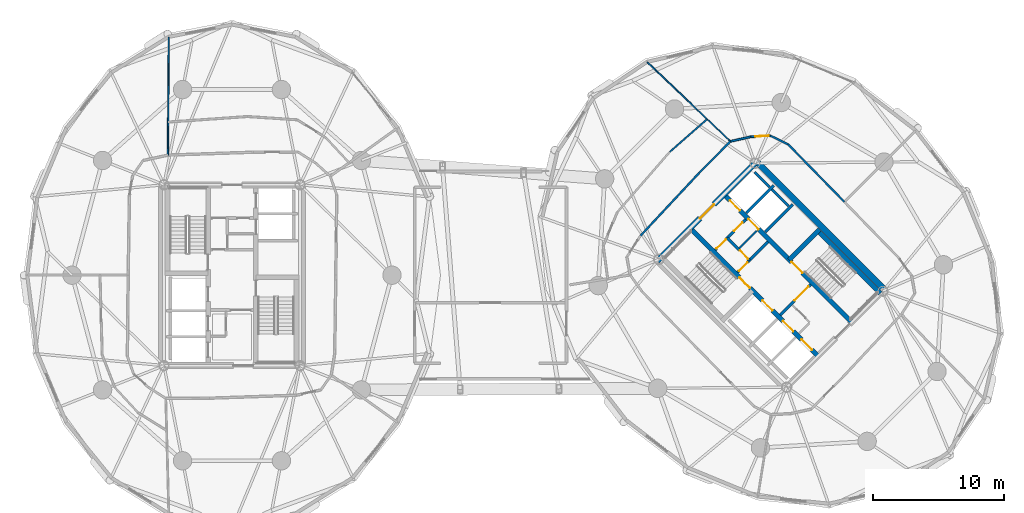
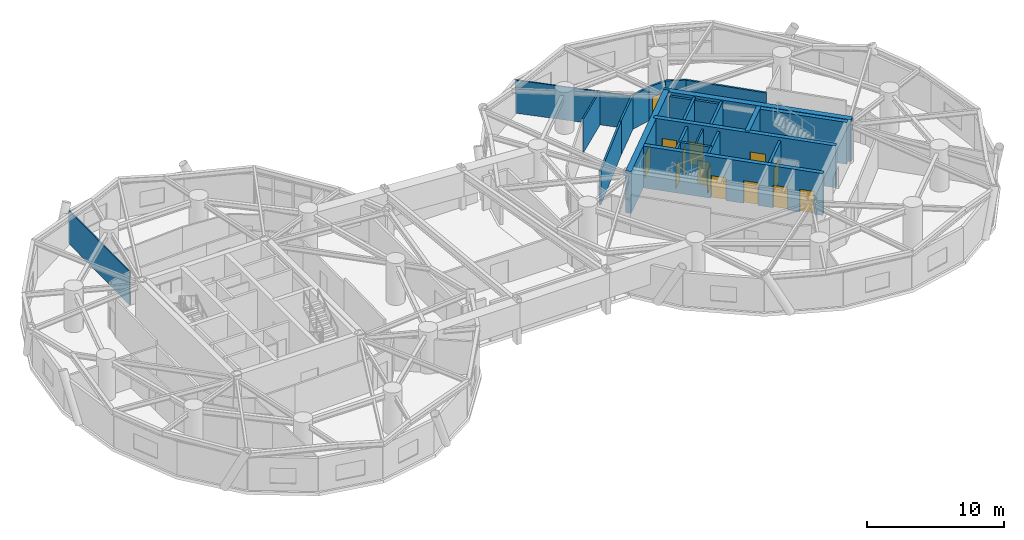
# One storey, part 13 of 17: 24 walls, 14 doors, 14 openings.
"""IFC4 building model written with IfcOpenShell, lengths in metres."""

from ifc_helpers import new_model, si_unit, direction, frame, frame_2d, origin, place, context, subcontext, project, spatial, rectangle, extrude, source, transform, mapped, material, layer, layer_set, type_object, element, fill, save


model = new_model("IFC4")

# Units and contexts
model_context = context("Model", 3, precision=1e-05, world=origin(), true_north=direction((0.0, 1.0)))
body_context = subcontext(model_context, "Body", "Model", "MODEL_VIEW")
ifc_project = project(units=[si_unit("LENGTHUNIT", "METRE"), si_unit("AREAUNIT", "SQUARE_METRE"), si_unit("VOLUMEUNIT", "CUBIC_METRE"), si_unit("PLANEANGLEUNIT", "RADIAN"), si_unit("MASSUNIT", "GRAM", prefix="KILO")], contexts=[model_context])

# Site, building, storey
site_placement = place(None, origin())
site = spatial("IfcSite", under=ifc_project, at=site_placement, CompositionType="ELEMENT")
building_placement = place(site_placement, origin())
building = spatial("IfcBuilding", under=site, at=building_placement, Name="Cununo Teusaquillo Station Towers", CompositionType="ELEMENT")
storey_placement = place(building_placement, frame((0.0, 0.0, 125.43994140625)))
storey = spatial("IfcBuildingStorey", under=building, at=storey_placement, Name="L40", CompositionType="ELEMENT", Elevation=125.43994140625)

# Walls
ifc_material_1 = material(Name="Concrete C50/60", Category="concrete")
ifc_layer_1 = layer(ifc_material_1, 0.199951171875)
ifc_layer_set_1 = layer_set([ifc_layer_1], Name="Concrete C50/60")
wall_type_1 = type_object("IfcWallType", Name="WL-CORE-200", PredefinedType="SHEAR", material=ifc_layer_set_1)
wall_1_placement = place(storey_placement, frame((57.0615234375, 27.781005859375, 0.0), z_axis=(0.0, 0.0, 1.0), x_axis=(0.707106781187, 0.707106781187, 0.0)))
element("IfcWall", 1, at=wall_1_placement, inside=storey, type_object=wall_type_1, Name="L40 Tower B Low-Rise Lift Hoistway South Shear Wall", PredefinedType="SHEAR", context=body_context, shape_type="SweptSolid", body=[
    extrude(rectangle(XDim=2.969970703125, YDim=0.199951171875, at=frame_2d((1.48486328125, 0.0))), origin(), (0.0, 0.0, 1.0), 3.719970703125),
])
wall_2_placement = place(storey_placement, frame((55.615478515625, 29.22705078125, 0.0), z_axis=(0.0, 0.0, 1.0), x_axis=(0.707147878904, 0.70706568108, 0.0)))
element("IfcWall", 2, at=wall_2_placement, inside=storey, type_object=wall_type_1, Name="L40 Tower B Low-Rise Lift Hoistway Divider Shear Wall", PredefinedType="SHEAR", context=body_context, shape_type="SweptSolid", body=[
    extrude(rectangle(XDim=2.97021484375, YDim=0.199951171875, at=frame_2d((1.485107421875, 0.0))), origin(), (0.0, 0.0, 1.0), 3.719970703125),
])
wall_3_placement = place(storey_placement, frame((58.86474609375, 29.75390625, 0.0), z_axis=(0.0, 0.0, 1.0), x_axis=(-0.707174411312, 0.707039144592, 0.0)))
element("IfcWall", 3, at=wall_3_placement, inside=storey, type_object=wall_type_1, Name="L40 Tower B Low-Rise Lift 1 Shaft Rear Shear Wall", PredefinedType="SHEAR", context=body_context, shape_type="SweptSolid", body=[
    extrude(rectangle(XDim=1.804931640625, YDim=0.199951171875, at=frame_2d((0.90234375, 0.0))), origin(), (0.0, 0.0, 1.0), 3.719970703125),
])
wall_4_placement = place(storey_placement, frame((57.418701171875, 31.19970703125, 0.0), z_axis=(0.0, 0.0, 1.0), x_axis=(-0.707032117043, 0.707181437447, 0.0)))
element("IfcWall", 4, at=wall_4_placement, inside=storey, type_object=wall_type_1, Name="L40 Tower B Low-Rise Lift 2 Shaft Rear Shear Wall", PredefinedType="SHEAR", context=body_context, shape_type="SweptSolid", body=[
    extrude(rectangle(XDim=1.635009765625, YDim=0.199951171875, at=frame_2d((0.8173828125, 0.0))), origin(), (0.0, 0.0, 1.0), 3.719970703125),
])

# Wall, openings, doors
ifc_material_2 = material(Name="Concrete C50/60", Category="concrete")
ifc_layer_2 = layer(ifc_material_2, 0.35009765625)
ifc_layer_set_2 = layer_set([ifc_layer_2], Name="Concrete C50/60")
wall_type_2 = type_object("IfcWallType", Name="WL-CORE-350", PredefinedType="SHEAR", material=ifc_layer_set_2)
wall_5_placement = place(storey_placement, frame((61.077880859375, 18.355224609375, 0.0), z_axis=(0.0, 0.0, 1.0), x_axis=(-0.707106781187, 0.707106781187, 0.0)))
wall_5 = element("IfcWall", 5, at=wall_5_placement, inside=storey, type_object=wall_type_2, Name="L40 Tower B Core Shear Wall IW", PredefinedType="SHEAR", context=body_context, shape_type="SweptSolid", body=[
    extrude(rectangle(XDim=13.75, YDim=0.35009765625, at=frame_2d((6.875, 0.0))), origin(), (0.0, 0.0, 1.0), 3.719970703125),
])
shared_shape_1 = source(origin(), body_context, "Body", "SweptSolid", [
    extrude(rectangle(XDim=1.10009765625, YDim=2.014892578125, at=frame_2d((0.550048828125, 1.00732421875))), frame((0.0, 0.18505859375, 0.0), z_axis=(0.0, -1.0, 0.0), x_axis=(1.0, 0.0, 0.0)), (0.0, 0.0, 1.0), 0.3701171875),
])
opening_1_placement = place(wall_5_placement, frame((4.875, 0.0, 0.0)))
opening_1 = element("IfcOpeningElement", 6, at=opening_1_placement, cuts=wall_5, Name="Opening LD-01", PredefinedType="OPENING", context=body_context, shape_type="MappedRepresentation", body=[
    mapped(shared_shape_1, transform((0.0, 0.0, 0.0), x_axis=(1.0, 0.0, 0.0), y_axis=(0.0, 1.0, 0.0), z_axis=(0.0, 0.0, 1.0), scale=1.0)),
])
opening_2_placement = place(wall_5_placement, frame((0.64990234375, 0.0, 0.0)))
opening_2 = element("IfcOpeningElement", 7, at=opening_2_placement, cuts=wall_5, Name="Opening LD-01", PredefinedType="OPENING", context=body_context, shape_type="MappedRepresentation", body=[
    mapped(shared_shape_1, transform((0.0, 0.0, 0.0), x_axis=(1.0, 0.0, 0.0), y_axis=(0.0, 1.0, 0.0), z_axis=(0.0, 0.0, 1.0), scale=1.0)),
])
opening_3_placement = place(wall_5_placement, frame((2.64990234375, 0.0, 0.0)))
opening_3 = element("IfcOpeningElement", 8, at=opening_3_placement, cuts=wall_5, Name="Opening LD-01", PredefinedType="OPENING", context=body_context, shape_type="MappedRepresentation", body=[
    mapped(shared_shape_1, transform((0.0, 0.0, 0.0), x_axis=(1.0, 0.0, 0.0), y_axis=(0.0, 1.0, 0.0), z_axis=(0.0, 0.0, 1.0), scale=1.0)),
])
shared_shape_2 = source(origin(), body_context, "Body", "SweptSolid", [
    extrude(rectangle(XDim=1.14990234375, YDim=2.02001953125, at=frame_2d((0.574951171875, 1.010009765625))), frame((0.0, 0.18505859375, 0.0), z_axis=(0.0, -1.0, 0.0), x_axis=(1.0, 0.0, 0.0)), (0.0, 0.0, 1.0), 0.3701171875),
])
opening_4_placement = place(wall_5_placement, frame((7.294921875, 0.0, 0.0)))
opening_4 = element("IfcOpeningElement", 9, at=opening_4_placement, cuts=wall_5, Name="Opening D-ST1", PredefinedType="OPENING", context=body_context, shape_type="MappedRepresentation", body=[
    mapped(shared_shape_2, transform((0.0, 0.0, 0.0), x_axis=(1.0, 0.0, 0.0), y_axis=(0.0, 1.0, 0.0), z_axis=(0.0, 0.0, 1.0), scale=1.0)),
])
ifc_material_3 = material(Name="Galvanised fire-rated hollow steel door assembly", Category="steel")
door_type_1 = type_object("IfcDoorType", Name="DR-LIFT-1100", OperationType="SLIDING_TO_LEFT", PredefinedType="DOOR", material=ifc_material_3)
shared_shape_3 = source(origin(), body_context, "Body", "SweptSolid", [
    extrude(rectangle(XDim=1.10009765625, YDim=2.014892578125, at=frame_2d((0.550048828125, 1.00732421875))), frame((0.0, 0.02490234375, 0.0), z_axis=(0.0, -1.0, 0.0), x_axis=(1.0, 0.0, 0.0)), (0.0, 0.0, 1.0), 0.050048828125),
])
door_1_placement = place(opening_1_placement, origin())
door_1 = element("IfcDoor", 10, at=door_1_placement, inside=storey, type_object=door_type_1, Name="L40 Lift FL-T2 Sliding Landing Door", OperationType="SLIDING_TO_RIGHT", OverallHeight=2.014892578125, OverallWidth=1.10009765625, PredefinedType="DOOR", context=body_context, shape_type="MappedRepresentation", body=[
    mapped(shared_shape_3, transform((0.0, 0.0, 0.0), x_axis=(1.0, 0.0, 0.0), y_axis=(0.0, 1.0, 0.0), z_axis=(0.0, 0.0, 1.0), scale=1.0)),
])
fill(opening_1, door_1)
door_2_placement = place(opening_2_placement, origin())
door_2 = element("IfcDoor", 11, at=door_2_placement, inside=storey, type_object=door_type_1, Name="L40 Lift PL-T2-H1 Sliding Landing Door", OperationType="SLIDING_TO_RIGHT", OverallHeight=2.014892578125, OverallWidth=1.10009765625, PredefinedType="DOOR", context=body_context, shape_type="MappedRepresentation", body=[
    mapped(shared_shape_3, transform((0.0, 0.0, 0.0), x_axis=(1.0, 0.0, 0.0), y_axis=(0.0, 1.0, 0.0), z_axis=(0.0, 0.0, 1.0), scale=1.0)),
])
fill(opening_2, door_2)
door_3_placement = place(opening_3_placement, origin())
door_3 = element("IfcDoor", 12, at=door_3_placement, inside=storey, type_object=door_type_1, Name="L40 Lift PL-T2-H2 Sliding Landing Door", OperationType="SLIDING_TO_LEFT", OverallHeight=2.014892578125, OverallWidth=1.10009765625, PredefinedType="DOOR", context=body_context, shape_type="MappedRepresentation", body=[
    mapped(shared_shape_3, transform((0.0, 0.0, 0.0), x_axis=(1.0, 0.0, 0.0), y_axis=(0.0, 1.0, 0.0), z_axis=(0.0, 0.0, 1.0), scale=1.0)),
])
fill(opening_3, door_3)
ifc_material_4 = material(Name="Galvanised fire-rated hollow steel door assembly", Category="steel")
door_type_2 = type_object("IfcDoorType", Name="DR-STAIR-1150", OperationType="NOTDEFINED", PredefinedType="DOOR", material=ifc_material_4)
shared_shape_4 = source(origin(), body_context, "Body", "SweptSolid", [
    extrude(rectangle(XDim=1.14990234375, YDim=2.02001953125, at=frame_2d((0.574951171875, 1.010009765625))), frame((0.0, 0.02490234375, 0.0), z_axis=(0.0, -1.0, 0.0), x_axis=(1.0, 0.0, 0.0)), (0.0, 0.0, 1.0), 0.050048828125),
])
door_4_placement = place(opening_4_placement, origin())
door_4 = element("IfcDoor", 13, at=door_4_placement, inside=storey, type_object=door_type_2, Name="L40 Tower B Exit Stair 1 Fire Door", OperationType="SINGLE_SWING_RIGHT", OverallHeight=2.02001953125, OverallWidth=1.14990234375, PredefinedType="DOOR", context=body_context, shape_type="MappedRepresentation", body=[
    mapped(shared_shape_4, transform((0.0, 0.0, 0.0), x_axis=(1.0, 0.0, 0.0), y_axis=(0.0, 1.0, 0.0), z_axis=(0.0, 0.0, 1.0), scale=1.0)),
])
fill(opening_4, door_4)

wall_6_placement = place(storey_placement, frame((63.644775390625, 20.922119140625, 0.0), z_axis=(0.0, 0.0, 1.0), x_axis=(-0.707106781187, 0.707106781187, 0.0)))
wall_6 = element("IfcWall", 14, at=wall_6_placement, inside=storey, type_object=wall_type_2, Name="L40 Tower B Core Shear Wall IE", PredefinedType="SHEAR", context=body_context, shape_type="SweptSolid", body=[
    extrude(rectangle(XDim=13.75, YDim=0.35009765625, at=frame_2d((6.875, 0.0))), origin(), (0.0, 0.0, 1.0), 3.719970703125),
])
opening_5_placement = place(wall_6_placement, frame((10.0, 0.0, 0.0)))
opening_5 = element("IfcOpeningElement", 15, at=opening_5_placement, cuts=wall_6, Name="Opening LD-01", PredefinedType="OPENING", context=body_context, shape_type="MappedRepresentation", body=[
    mapped(shared_shape_1, transform((0.0, 0.0, 0.0), x_axis=(1.0, 0.0, 0.0), y_axis=(0.0, 1.0, 0.0), z_axis=(0.0, 0.0, 1.0), scale=1.0)),
])
opening_6_placement = place(wall_6_placement, frame((12.0, 0.0, 0.0)))
opening_6 = element("IfcOpeningElement", 16, at=opening_6_placement, cuts=wall_6, Name="Opening LD-01", PredefinedType="OPENING", context=body_context, shape_type="MappedRepresentation", body=[
    mapped(shared_shape_1, transform((0.0, 0.0, 0.0), x_axis=(1.0, 0.0, 0.0), y_axis=(0.0, 1.0, 0.0), z_axis=(0.0, 0.0, 1.0), scale=1.0)),
])
opening_7_placement = place(wall_6_placement, frame((5.304931640625, 0.0, 0.0)))
opening_7 = element("IfcOpeningElement", 17, at=opening_7_placement, cuts=wall_6, Name="Opening D-ST1", PredefinedType="OPENING", context=body_context, shape_type="MappedRepresentation", body=[
    mapped(shared_shape_2, transform((0.0, 0.0, 0.0), x_axis=(1.0, 0.0, 0.0), y_axis=(0.0, 1.0, 0.0), z_axis=(0.0, 0.0, 1.0), scale=1.0)),
])
door_5_placement = place(opening_5_placement, origin())
door_5 = element("IfcDoor", 18, at=door_5_placement, inside=storey, type_object=door_type_1, Name="L40 Lift PL-T2-L1 Sliding Landing Door", OperationType="SLIDING_TO_RIGHT", OverallHeight=2.014892578125, OverallWidth=1.10009765625, PredefinedType="DOOR", context=body_context, shape_type="MappedRepresentation", body=[
    mapped(shared_shape_3, transform((0.0, 0.0, 0.0), x_axis=(1.0, 0.0, 0.0), y_axis=(0.0, 1.0, 0.0), z_axis=(0.0, 0.0, 1.0), scale=1.0)),
])
fill(opening_5, door_5)
door_6_placement = place(opening_6_placement, origin())
door_6 = element("IfcDoor", 19, at=door_6_placement, inside=storey, type_object=door_type_1, Name="L40 Lift PL-T2-L2 Sliding Landing Door", OperationType="SLIDING_TO_LEFT", OverallHeight=2.014892578125, OverallWidth=1.10009765625, PredefinedType="DOOR", context=body_context, shape_type="MappedRepresentation", body=[
    mapped(shared_shape_3, transform((0.0, 0.0, 0.0), x_axis=(1.0, 0.0, 0.0), y_axis=(0.0, 1.0, 0.0), z_axis=(0.0, 0.0, 1.0), scale=1.0)),
])
fill(opening_6, door_6)
door_7_placement = place(opening_7_placement, origin())
door_7 = element("IfcDoor", 20, at=door_7_placement, inside=storey, type_object=door_type_2, Name="L40 Tower B Exit Stair 2 Fire Door", OperationType="SINGLE_SWING_LEFT", OverallHeight=2.02001953125, OverallWidth=1.14990234375, PredefinedType="DOOR", context=body_context, shape_type="MappedRepresentation", body=[
    mapped(shared_shape_4, transform((0.0, 0.0, 0.0), x_axis=(1.0, 0.0, 0.0), y_axis=(0.0, 1.0, 0.0), z_axis=(0.0, 0.0, 1.0), scale=1.0)),
])
fill(opening_7, door_7)

# Walls
wall_7_placement = place(storey_placement, frame((65.82958984375, 23.10693359375, 0.0), z_axis=(0.0, 0.0, 1.0), x_axis=(-0.707088616009, 0.707124945897, 0.0)))
element("IfcWall", 21, at=wall_7_placement, inside=storey, type_object=wall_type_2, Name="L40 Tower B Core Shear Wall ST2E", PredefinedType="SHEAR", context=body_context, shape_type="SweptSolid", body=[
    extrude(rectangle(XDim=6.72021484375, YDim=0.35009765625, at=frame_2d((3.360107421875, 0.0))), origin(), (0.0, 0.0, 1.0), 3.719970703125),
])
wall_8_placement = place(storey_placement, frame((58.89306640625, 25.673828125, 0.0), z_axis=(0.0, 0.0, 1.0), x_axis=(0.707106781187, 0.707106781187, 0.0)))
element("IfcWall", 22, at=wall_8_placement, inside=storey, type_object=wall_type_2, Name="L40 Tower B Core Shear Wall ST2N", PredefinedType="SHEAR", context=body_context, shape_type="SweptSolid", body=[
    extrude(rectangle(XDim=3.284912109375, YDim=0.35009765625, at=frame_2d((1.642578125, 0.0))), origin(), (0.0, 0.0, 1.0), 3.719970703125),
])
ifc_material_5 = material(Name="Concrete C60/75", Category="concrete")
ifc_layer_3 = layer(ifc_material_5, 0.449951171875)
ifc_layer_set_3 = layer_set([ifc_layer_3], Name="Concrete C60/75")
wall_type_3 = type_object("IfcWallType", Name="WL-CORE-450", PredefinedType="SHEAR", material=ifc_layer_set_3)
wall_9_placement = place(storey_placement, frame((66.303466796875, 23.2626953125, 0.0), z_axis=(0.0, 0.0, 1.0), x_axis=(-0.707106781187, 0.707106781187, 0.0)))
element("IfcWall", 23, at=wall_9_placement, inside=storey, type_object=wall_type_3, Name="L40 Tower B Core Shear Wall E", PredefinedType="SHEAR", context=body_context, shape_type="SweptSolid", body=[
    extrude(rectangle(XDim=14.19970703125, YDim=0.449951171875, at=frame_2d((7.099853515625, 0.0))), origin(), (0.0, 0.0, 1.0), 3.719970703125),
])

# Wall, opening, door
wall_10_placement = place(storey_placement, frame((48.855712890625, 25.578369140625, 0.0), z_axis=(0.0, 0.0, 1.0), x_axis=(0.707106781187, 0.707106781187, 0.0)))
wall_10 = element("IfcWall", 24, at=wall_10_placement, inside=storey, type_object=wall_type_3, Name="L40 Tower B Core Shear Wall N", PredefinedType="SHEAR", context=body_context, shape_type="SweptSolid", body=[
    extrude(rectangle(XDim=10.69970703125, YDim=0.449951171875, at=frame_2d((5.349853515625, 0.0))), origin(), (0.0, 0.0, 1.0), 3.719970703125),
])
shared_shape_5 = source(origin(), body_context, "Body", "SweptSolid", [
    extrude(rectangle(XDim=1.5, YDim=2.02001953125, at=frame_2d((0.75, 1.010009765625))), frame((0.0, 0.23486328125, 0.0), z_axis=(0.0, -1.0, 0.0), x_axis=(1.0, 0.0, 0.0)), (0.0, 0.0, 1.0), 0.469970703125),
])
opening_8_placement = place(wall_10_placement, frame((4.60009765625, 0.0, 0.0)))
opening_8 = element("IfcOpeningElement", 25, at=opening_8_placement, cuts=wall_10, Name="Opening D-LB1", PredefinedType="OPENING", context=body_context, shape_type="MappedRepresentation", body=[
    mapped(shared_shape_5, transform((0.0, 0.0, 0.0), x_axis=(1.0, 0.0, 0.0), y_axis=(0.0, 1.0, 0.0), z_axis=(0.0, 0.0, 1.0), scale=1.0)),
])
ifc_material_6 = material(Name="Galvanised fire-rated hollow steel door assembly", Category="steel")
door_type_3 = type_object("IfcDoorType", Name="DR-LOBBY-1500", OperationType="DOUBLE_DOOR_SINGLE_SWING", PredefinedType="DOOR", material=ifc_material_6)
shared_shape_6 = source(origin(), body_context, "Body", "SweptSolid", [
    extrude(rectangle(XDim=1.5, YDim=2.02001953125, at=frame_2d((0.75, 1.010009765625))), frame((0.0, 0.02490234375, 0.0), z_axis=(0.0, -1.0, 0.0), x_axis=(1.0, 0.0, 0.0)), (0.0, 0.0, 1.0), 0.050048828125),
])
door_8_placement = place(opening_8_placement, origin())
door_8 = element("IfcDoor", 26, at=door_8_placement, inside=storey, type_object=door_type_3, Name="L40 Tower B North Core Lift Lobby Door", OperationType="DOUBLE_DOOR_SINGLE_SWING", OverallHeight=2.02001953125, OverallWidth=1.5, PredefinedType="DOOR", context=body_context, shape_type="MappedRepresentation", body=[
    mapped(shared_shape_6, transform((0.0, 0.0, 0.0), x_axis=(1.0, 0.0, 0.0), y_axis=(0.0, 1.0, 0.0), z_axis=(0.0, 0.0, 1.0), scale=1.0)),
])
fill(opening_8, door_8)

# Walls
ifc_material_7 = material(Name="Fire-rated gypsum plasterboard partition assembly", Category="gypsum")
ifc_layer_4 = layer(ifc_material_7, 0.10009765625)
ifc_layer_set_4 = layer_set([ifc_layer_4], Name="Fire-rated gypsum plasterboard partition assembly")
wall_type_4 = type_object("IfcWallType", Name="WL-PART-100", PredefinedType="MOVABLE", material=ifc_layer_set_4)
wall_11_placement = place(storey_placement, frame((11.619873046875, 33.63720703125, 0.0), z_axis=(0.0, 0.0, 1.0), x_axis=(0.007965167065, 0.999968277554, 0.0)))
element("IfcWall", 27, at=wall_11_placement, inside=storey, type_object=wall_type_4, Name="L40 Tower A Radial Suite Partition R02", PredefinedType="MOVABLE", context=body_context, shape_type="SweptSolid", body=[
    extrude(rectangle(XDim=8.980712890625, YDim=0.10009765625, at=frame_2d((4.490234375, 0.0))), origin(), (0.0, 0.0, 1.0), 2.948974609375),
])
wall_12_placement = place(storey_placement, frame((54.426513671875, 34.6826171875, 0.0), z_axis=(0.0, 0.0, 1.0), x_axis=(-0.72454072322, 0.689231993161, 0.0)))
element("IfcWall", 28, at=wall_12_placement, inside=storey, type_object=wall_type_4, Name="L40 Tower B Radial Suite Partition R02", PredefinedType="MOVABLE", context=body_context, shape_type="SweptSolid", body=[
    extrude(rectangle(XDim=8.746826171875, YDim=0.10009765625, at=frame_2d((4.37353515625, 0.0))), origin(), (0.0, 0.0, 1.0), 2.948974609375),
])
ifc_material_8 = material(Name="Fire-rated gypsum plasterboard partition assembly", Category="gypsum")
ifc_layer_5 = layer(ifc_material_8, 0.125)
ifc_layer_set_5 = layer_set([ifc_layer_5], Name="Fire-rated gypsum plasterboard partition assembly")
wall_type_5 = type_object("IfcWallType", Name="WL-PART-125", PredefinedType="PARTITIONING", material=ifc_layer_set_5)
wall_13_placement = place(storey_placement, frame((55.0888671875, 26.54345703125, 0.0), z_axis=(0.0, 0.0, 1.0), x_axis=(0.707106781187, 0.707106781187, 0.0)))
element("IfcWall", 29, at=wall_13_placement, inside=storey, type_object=wall_type_5, Name="L40 Tower B Core Horizontal Split Wall", PredefinedType="PARTITIONING", context=body_context, shape_type="SweptSolid", body=[
    extrude(rectangle(XDim=1.8798828125, YDim=0.125, at=frame_2d((0.93994140625, 0.0))), origin(), (0.0, 0.0, 1.0), 3.425048828125),
])
wall_14_placement = place(storey_placement, frame((52.652099609375, 36.37060546875, 0.0), z_axis=(0.0, 0.0, 1.0), x_axis=(-0.752401146533, -0.658705180408, 0.0)))
element("IfcWall", 30, at=wall_14_placement, inside=storey, type_object=wall_type_5, Name="L40 Tower B Sky-Concourse Exhibition Salon Concentric Partition Wall C04", PredefinedType="PARTITIONING", context=body_context, shape_type="SweptSolid", body=[
    extrude(rectangle(XDim=3.791259765625, YDim=0.125, at=frame_2d((1.8955078125, 0.0))), origin(), (0.0, 0.0, 1.0), 2.9951171875),
])
ifc_material_9 = material(Name="Fire-rated gypsum plasterboard partition assembly", Category="gypsum")
ifc_layer_6 = layer(ifc_material_9, 0.14990234375)
ifc_layer_set_6 = layer_set([ifc_layer_6], Name="Fire-rated gypsum plasterboard partition assembly")
wall_type_6 = type_object("IfcWallType", Name="WL-PART-150", PredefinedType="PARTITIONING", material=ifc_layer_set_6)
wall_15_placement = place(storey_placement, frame((63.086181640625, 30.086181640625, 0.0), z_axis=(0.0, 0.0, 1.0), x_axis=(-0.699075897379, 0.715047473741, 0.0)))
element("IfcWall", 31, at=wall_15_placement, inside=storey, type_object=wall_type_6, Name="L40 Tower B Corridor Ring Wall C00", PredefinedType="PARTITIONING", context=body_context, shape_type="SweptSolid", body=[
    extrude(rectangle(XDim=6.1142578125, YDim=0.14990234375, at=frame_2d((3.05712890625, 0.0))), origin(), (0.0, 0.0, 1.0), 2.9951171875),
])
wall_16_placement = place(storey_placement, frame((58.811767578125, 34.458251953125, 0.0), z_axis=(0.0, 0.0, 1.0), x_axis=(-0.899559490277, 0.436798264021, 0.0)))
element("IfcWall", 32, at=wall_16_placement, inside=storey, type_object=wall_type_6, Name="L40 Tower B Corridor Ring Wall C01", PredefinedType="PARTITIONING", context=body_context, shape_type="SweptSolid", body=[
    extrude(rectangle(XDim=1.4951171875, YDim=0.14990234375, at=frame_2d((0.74755859375, 0.0))), origin(), (0.0, 0.0, 1.0), 2.9951171875),
])

# Wall, opening, door
wall_17_placement = place(storey_placement, frame((57.466796875, 35.111328125, 0.0), z_axis=(0.0, 0.0, 1.0), x_axis=(-0.998691757323, -0.051134859488, 0.0)))
wall_17 = element("IfcWall", 33, at=wall_17_placement, inside=storey, type_object=wall_type_6, Name="L40 Tower B Corridor Ring Wall C02", PredefinedType="PARTITIONING", context=body_context, shape_type="SweptSolid", body=[
    extrude(rectangle(XDim=1.48486328125, YDim=0.14990234375, at=frame_2d((0.742431640625, 0.0))), origin(), (0.0, 0.0, 1.0), 2.9951171875),
])
shared_shape_7 = source(origin(), body_context, "Body", "SweptSolid", [
    extrude(rectangle(XDim=1.050048828125, YDim=2.014892578125, at=frame_2d((0.52490234375, 1.00732421875))), frame((0.0, 0.0849609375, 0.0), z_axis=(0.0, -1.0, 0.0), x_axis=(1.0, 0.0, 0.0)), (0.0, 0.0, 1.0), 0.169921875),
])
opening_9_placement = place(wall_17_placement, frame((0.1201171875, 0.0, 0.0)))
opening_9 = element("IfcOpeningElement", 34, at=opening_9_placement, cuts=wall_17, Name="Opening D-SU1", PredefinedType="OPENING", context=body_context, shape_type="MappedRepresentation", body=[
    mapped(shared_shape_7, transform((0.0, 0.0, 0.0), x_axis=(1.0, 0.0, 0.0), y_axis=(0.0, 1.0, 0.0), z_axis=(0.0, 0.0, 1.0), scale=1.0)),
])
ifc_material_10 = material(Name="Acoustic solid-core hardwood leaf assembly", Category="wood")
door_type_4 = type_object("IfcDoorType", Name="DR-SUITE-1050", OperationType="NOTDEFINED", PredefinedType="DOOR", material=ifc_material_10)
shared_shape_8 = source(origin(), body_context, "Body", "SweptSolid", [
    extrude(rectangle(XDim=1.050048828125, YDim=2.014892578125, at=frame_2d((0.52490234375, 1.00732421875))), frame((0.0, 0.02490234375, 0.0), z_axis=(0.0, -1.0, 0.0), x_axis=(1.0, 0.0, 0.0)), (0.0, 0.0, 1.0), 0.050048828125),
])
door_9_placement = place(opening_9_placement, origin())
door_9 = element("IfcDoor", 35, at=door_9_placement, inside=storey, type_object=door_type_4, Name="L40 Tower B Pan-Andean Symposium Hall Entrance Door", OperationType="SINGLE_SWING_RIGHT", OverallHeight=2.014892578125, OverallWidth=1.050048828125, PredefinedType="DOOR", context=body_context, shape_type="MappedRepresentation", body=[
    mapped(shared_shape_8, transform((0.0, 0.0, 0.0), x_axis=(1.0, 0.0, 0.0), y_axis=(0.0, 1.0, 0.0), z_axis=(0.0, 0.0, 1.0), scale=1.0)),
])
fill(opening_9, door_9)

# Walls
wall_18_placement = place(storey_placement, frame((55.98388671875, 35.035400390625, 0.0), z_axis=(0.0, 0.0, 1.0), x_axis=(-0.975290305708, -0.22092718165, 0.0)))
element("IfcWall", 36, at=wall_18_placement, inside=storey, type_object=wall_type_6, Name="L40 Tower B Corridor Ring Wall C03", PredefinedType="PARTITIONING", context=body_context, shape_type="SweptSolid", body=[
    extrude(rectangle(XDim=1.596923828125, YDim=0.14990234375, at=frame_2d((0.79833984375, 0.0))), origin(), (0.0, 0.0, 1.0), 2.9951171875),
])
wall_19_placement = place(storey_placement, frame((54.426513671875, 34.6826171875, 0.0), z_axis=(0.0, 0.0, 1.0), x_axis=(-0.704178989986, -0.710022499687, 0.0)))
element("IfcWall", 37, at=wall_19_placement, inside=storey, type_object=wall_type_6, Name="L40 Tower B Corridor Ring Wall C04", PredefinedType="PARTITIONING", context=body_context, shape_type="SweptSolid", body=[
    extrude(rectangle(XDim=3.38427734375, YDim=0.14990234375, at=frame_2d((1.692138671875, 0.0))), origin(), (0.0, 0.0, 1.0), 2.9951171875),
])
wall_20_placement = place(storey_placement, frame((52.04345703125, 32.27978515625, 0.0), z_axis=(0.0, 0.0, 1.0), x_axis=(-0.682606081633, -0.730786519661, 0.0)))
element("IfcWall", 38, at=wall_20_placement, inside=storey, type_object=wall_type_6, Name="L40 Tower B Corridor Ring Wall C05", PredefinedType="PARTITIONING", context=body_context, shape_type="SweptSolid", body=[
    extrude(rectangle(XDim=6.526611328125, YDim=0.14990234375, at=frame_2d((3.26318359375, 0.0))), origin(), (0.0, 0.0, 1.0), 2.9951171875),
])

# Wall, opening, door
ifc_material_11 = material(Name="Fire-rated gypsum plasterboard partition assembly", Category="gypsum")
ifc_layer_7 = layer(ifc_material_11, 0.199951171875)
ifc_layer_set_7 = layer_set([ifc_layer_7], Name="Fire-rated gypsum plasterboard partition assembly")
wall_type_7 = type_object("IfcWallType", Name="WL-PART-200", PredefinedType="PARTITIONING", material=ifc_layer_set_7)
wall_21_placement = place(storey_placement, frame((58.214111328125, 21.466552734375, 0.0), z_axis=(0.0, 0.0, 1.0), x_axis=(0.707106781187, 0.707106781187, 0.0)))
wall_21 = element("IfcWall", 39, at=wall_21_placement, inside=storey, type_object=wall_type_7, Name="L40 Tower B Firefighting Lift Lobby South Fire Wall", PredefinedType="PARTITIONING", context=body_context, shape_type="SweptSolid", body=[
    extrude(rectangle(XDim=3.280029296875, YDim=0.199951171875, at=frame_2d((1.64013671875, 0.0))), origin(), (0.0, 0.0, 1.0), 3.425048828125),
])
shared_shape_9 = source(origin(), body_context, "Body", "SweptSolid", [
    extrude(rectangle(XDim=1.5, YDim=2.02001953125, at=frame_2d((0.75, 1.010009765625))), frame((0.0, 0.10986328125, 0.0), z_axis=(0.0, -1.0, 0.0), x_axis=(1.0, 0.0, 0.0)), (0.0, 0.0, 1.0), 0.219970703125),
])
opening_10_placement = place(wall_21_placement, frame((1.550048828125, 0.0, 0.0)))
opening_10 = element("IfcOpeningElement", 40, at=opening_10_placement, cuts=wall_21, Name="Opening D-LB1", PredefinedType="OPENING", context=body_context, shape_type="MappedRepresentation", body=[
    mapped(shared_shape_9, transform((0.0, 0.0, 0.0), x_axis=(1.0, 0.0, 0.0), y_axis=(0.0, 1.0, 0.0), z_axis=(0.0, 0.0, 1.0), scale=1.0)),
])
door_10_placement = place(opening_10_placement, origin())
door_10 = element("IfcDoor", 41, at=door_10_placement, inside=storey, type_object=door_type_3, Name="L40 Tower B Firefighting Lift Lobby South Fire Door", OperationType="DOUBLE_DOOR_SINGLE_SWING", OverallHeight=2.02001953125, OverallWidth=1.5, PredefinedType="DOOR", context=body_context, shape_type="MappedRepresentation", body=[
    mapped(shared_shape_6, transform((0.0, 0.0, 0.0), x_axis=(1.0, 0.0, 0.0), y_axis=(0.0, 1.0, 0.0), z_axis=(0.0, 0.0, 1.0), scale=1.0)),
])
fill(opening_10, door_10)

wall_22_placement = place(storey_placement, frame((54.96142578125, 24.71923828125, 0.0), z_axis=(0.0, 0.0, 1.0), x_axis=(0.707106781187, 0.707106781187, 0.0)))
wall_22 = element("IfcWall", 42, at=wall_22_placement, inside=storey, type_object=wall_type_7, Name="L40 Tower B Firefighting Lift Lobby North Fire Wall", PredefinedType="PARTITIONING", context=body_context, shape_type="SweptSolid", body=[
    extrude(rectangle(XDim=3.280029296875, YDim=0.199951171875, at=frame_2d((1.64013671875, 0.0))), origin(), (0.0, 0.0, 1.0), 3.425048828125),
])
shared_shape_10 = source(origin(), body_context, "Body", "SweptSolid", [
    extrude(rectangle(XDim=0.89990234375, YDim=2.0048828125, at=frame_2d((0.449951171875, 1.00244140625))), frame((0.0, 0.10986328125, 0.0), z_axis=(0.0, -1.0, 0.0), x_axis=(1.0, 0.0, 0.0)), (0.0, 0.0, 1.0), 0.219970703125),
])
opening_11_placement = place(wall_22_placement, frame((0.159912109375, 0.0, 0.0)))
opening_11 = element("IfcOpeningElement", 43, at=opening_11_placement, cuts=wall_22, Name="Opening D-SR1", PredefinedType="OPENING", context=body_context, shape_type="MappedRepresentation", body=[
    mapped(shared_shape_10, transform((0.0, 0.0, 0.0), x_axis=(1.0, 0.0, 0.0), y_axis=(0.0, 1.0, 0.0), z_axis=(0.0, 0.0, 1.0), scale=1.0)),
])
ifc_material_12 = material(Name="Galvanised fire-rated hollow steel door assembly", Category="steel")
door_type_5 = type_object("IfcDoorType", Name="DR-STORE-900", OperationType="NOTDEFINED", PredefinedType="DOOR", material=ifc_material_12)
shared_shape_11 = source(origin(), body_context, "Body", "SweptSolid", [
    extrude(rectangle(XDim=0.89990234375, YDim=2.0048828125, at=frame_2d((0.449951171875, 1.00244140625))), frame((0.0, 0.02490234375, 0.0), z_axis=(0.0, -1.0, 0.0), x_axis=(1.0, 0.0, 0.0)), (0.0, 0.0, 1.0), 0.050048828125),
])
door_11_placement = place(opening_11_placement, origin())
door_11 = element("IfcDoor", 44, at=door_11_placement, inside=storey, type_object=door_type_5, Name="L40 Tower B Stair 1 Protected Vestibule South Door", OperationType="SINGLE_SWING_RIGHT", OverallHeight=2.0048828125, OverallWidth=0.89990234375, PredefinedType="DOOR", context=body_context, shape_type="MappedRepresentation", body=[
    mapped(shared_shape_11, transform((0.0, 0.0, 0.0), x_axis=(1.0, 0.0, 0.0), y_axis=(0.0, 1.0, 0.0), z_axis=(0.0, 0.0, 1.0), scale=1.0)),
])
fill(opening_11, door_11)

wall_23_placement = place(storey_placement, frame((55.873779296875, 25.63134765625, 0.0), z_axis=(0.0, 0.0, 1.0), x_axis=(-0.707157639372, 0.707055919343, 0.0)))
wall_23 = element("IfcWall", 45, at=wall_23_placement, inside=storey, type_object=wall_type_7, Name="L40 Tower B Stair 1 Vestibule Partition Wall", PredefinedType="PARTITIONING", context=body_context, shape_type="SweptSolid", body=[
    extrude(rectangle(XDim=2.400146484375, YDim=0.199951171875, at=frame_2d((1.2001953125, 0.0))), origin(), (0.0, 0.0, 1.0), 3.425048828125),
])
opening_12_placement = place(wall_23_placement, frame((0.139892578125, 0.0, 0.0)))
opening_12 = element("IfcOpeningElement", 46, at=opening_12_placement, cuts=wall_23, Name="Opening D-SR1", PredefinedType="OPENING", context=body_context, shape_type="MappedRepresentation", body=[
    mapped(shared_shape_10, transform((0.0, 0.0, 0.0), x_axis=(1.0, 0.0, 0.0), y_axis=(0.0, 1.0, 0.0), z_axis=(0.0, 0.0, 1.0), scale=1.0)),
])
door_12_placement = place(opening_12_placement, origin())
door_12 = element("IfcDoor", 47, at=door_12_placement, inside=storey, type_object=door_type_5, Name="L40 Tower B Core Linen Store Door", OperationType="SINGLE_SWING_LEFT", OverallHeight=2.0048828125, OverallWidth=0.89990234375, PredefinedType="DOOR", context=body_context, shape_type="MappedRepresentation", body=[
    mapped(shared_shape_11, transform((0.0, 0.0, 0.0), x_axis=(1.0, 0.0, 0.0), y_axis=(0.0, 1.0, 0.0), z_axis=(0.0, 0.0, 1.0), scale=1.0)),
])
fill(opening_12, door_12)

# Wall, openings, doors
wall_24_placement = place(storey_placement, frame((53.264404296875, 26.416259765625, 0.0), z_axis=(0.0, 0.0, 1.0), x_axis=(0.707106781187, 0.707106781187, 0.0)))
wall_24 = element("IfcWall", 48, at=wall_24_placement, inside=storey, type_object=wall_type_7, Name="L40 Tower B North Lift Lobby South Fire Wall", PredefinedType="PARTITIONING", context=body_context, shape_type="SweptSolid", body=[
    extrude(rectangle(XDim=3.280029296875, YDim=0.199951171875, at=frame_2d((1.64013671875, 0.0))), origin(), (0.0, 0.0, 1.0), 3.425048828125),
])
shared_shape_12 = source(origin(), body_context, "Body", "SweptSolid", [
    extrude(rectangle(XDim=1.0, YDim=2.014892578125, at=frame_2d((0.5, 1.00732421875))), frame((0.0, 0.10986328125, 0.0), z_axis=(0.0, -1.0, 0.0), x_axis=(1.0, 0.0, 0.0)), (0.0, 0.0, 1.0), 0.219970703125),
])
opening_13_placement = place(wall_24_placement, frame((0.139892578125, 0.0, 0.0)))
opening_13 = element("IfcOpeningElement", 49, at=opening_13_placement, cuts=wall_24, Name="Opening D-AC1", PredefinedType="OPENING", context=body_context, shape_type="MappedRepresentation", body=[
    mapped(shared_shape_12, transform((0.0, 0.0, 0.0), x_axis=(1.0, 0.0, 0.0), y_axis=(0.0, 1.0, 0.0), z_axis=(0.0, 0.0, 1.0), scale=1.0)),
])
opening_14_placement = place(wall_24_placement, frame((2.050048828125, 0.0, 0.0)))
opening_14 = element("IfcOpeningElement", 50, at=opening_14_placement, cuts=wall_24, Name="Opening D-SR1", PredefinedType="OPENING", context=body_context, shape_type="MappedRepresentation", body=[
    mapped(shared_shape_10, transform((0.0, 0.0, 0.0), x_axis=(1.0, 0.0, 0.0), y_axis=(0.0, 1.0, 0.0), z_axis=(0.0, 0.0, 1.0), scale=1.0)),
])
door_13_placement = place(opening_14_placement, origin())
door_13 = element("IfcDoor", 51, at=door_13_placement, inside=storey, type_object=door_type_5, Name="L40 Tower B Core Comms Room Door", OperationType="SINGLE_SWING_RIGHT", OverallHeight=2.0048828125, OverallWidth=0.89990234375, PredefinedType="DOOR", context=body_context, shape_type="MappedRepresentation", body=[
    mapped(shared_shape_11, transform((0.0, 0.0, 0.0), x_axis=(1.0, 0.0, 0.0), y_axis=(0.0, 1.0, 0.0), z_axis=(0.0, 0.0, 1.0), scale=1.0)),
])
fill(opening_14, door_13)
ifc_material_13 = material(Name="Acoustic solid-core hardwood leaf assembly", Category="wood")
door_type_6 = type_object("IfcDoorType", Name="DR-ACC-1000", OperationType="NOTDEFINED", PredefinedType="DOOR", material=ifc_material_13)
shared_shape_13 = source(origin(), body_context, "Body", "SweptSolid", [
    extrude(rectangle(XDim=1.0, YDim=2.014892578125, at=frame_2d((0.5, 1.00732421875))), frame((0.0, 0.02490234375, 0.0), z_axis=(0.0, -1.0, 0.0), x_axis=(1.0, 0.0, 0.0)), (0.0, 0.0, 1.0), 0.050048828125),
])
door_14_placement = place(opening_13_placement, origin())
door_14 = element("IfcDoor", 52, at=door_14_placement, inside=storey, type_object=door_type_6, Name="L40 Tower B North Lift Lobby to Stair 1 Vestibule Door", OperationType="SINGLE_SWING_LEFT", OverallHeight=2.014892578125, OverallWidth=1.0, PredefinedType="DOOR", context=body_context, shape_type="MappedRepresentation", body=[
    mapped(shared_shape_13, transform((0.0, 0.0, 0.0), x_axis=(1.0, 0.0, 0.0), y_axis=(0.0, 1.0, 0.0), z_axis=(0.0, 0.0, 1.0), scale=1.0)),
])
fill(opening_13, door_14)

save(model, "model.ifc")
